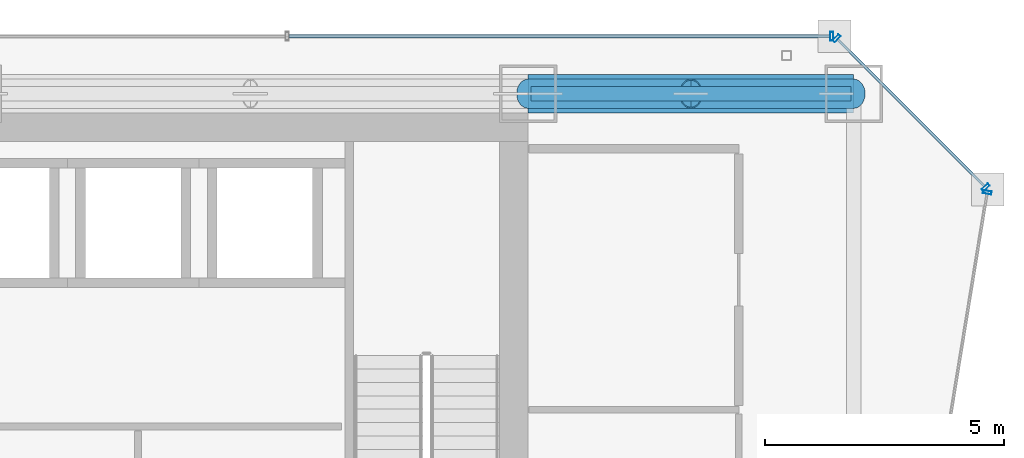
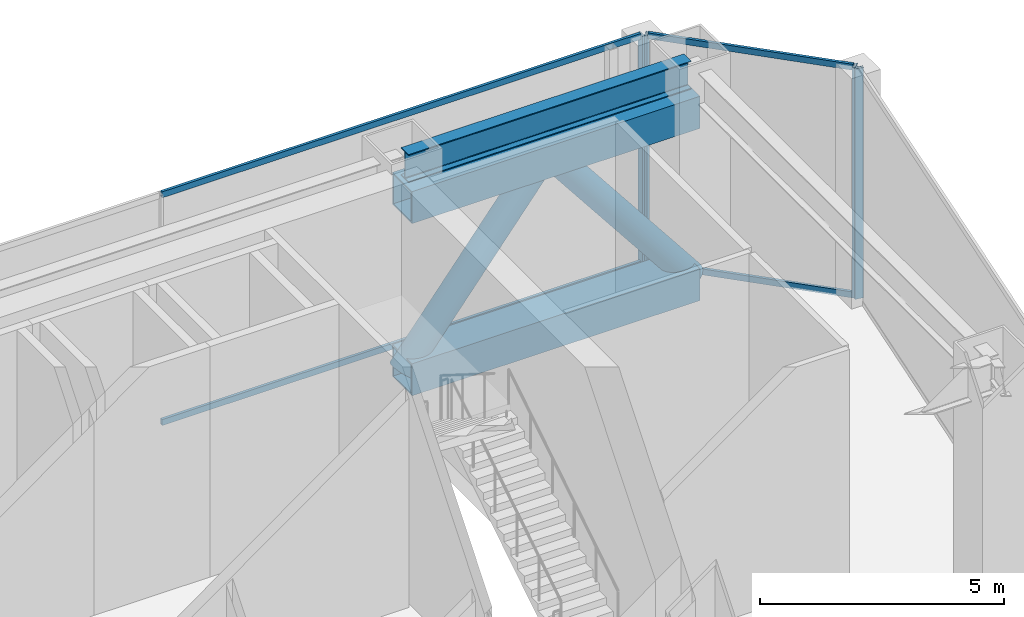
# One storey, part 27 of 35: 12 members, 1 beam, 3 elements without a shape of their own.
"""IFC4 building model written with IfcOpenShell, lengths in metres."""

from ifc_helpers import new_model, si_unit, direction, frame, origin, origin_2d, place, context, subcontext, project, spatial, hollow_rectangle, hollow_circle, i_section, extrude, material, material_profile, profile_set, type_object, element, aggregate, save


model = new_model("IFC4")

# Units and contexts
model_context = context("Model", 3, precision=1e-05, world=origin(), true_north=direction((0.0, 1.0)))
body_context = subcontext(model_context, "Body", "Model", "MODEL_VIEW")
ifc_project = project(units=[si_unit("LENGTHUNIT", "METRE"), si_unit("AREAUNIT", "SQUARE_METRE"), si_unit("VOLUMEUNIT", "CUBIC_METRE"), si_unit("PLANEANGLEUNIT", "RADIAN"), si_unit("MASSUNIT", "GRAM", prefix="KILO")], contexts=[model_context])

# Site, building, storey
site_placement = place(None, origin())
site = spatial("IfcSite", under=ifc_project, at=site_placement, CompositionType="ELEMENT")
building_placement = place(site_placement, origin())
building = spatial("IfcBuilding", under=site, at=building_placement, Name="Saevonmaru Cultural Tower", CompositionType="ELEMENT")
storey_placement = place(building_placement, frame((0.0, 0.0, 86.800048828125)))
storey = spatial("IfcBuildingStorey", under=building, at=storey_placement, Name="L18", CompositionType="ELEMENT", Elevation=86.800048828125)

# Beam
ifc_material_1 = material(Name="Steel SM355", Category="steel")
ifc_material_profile_1 = material_profile(ifc_material_1, i_section(OverallWidth=0.300048828125, OverallDepth=0.699951171875, WebThickness=0.012939453125, FlangeThickness=0.02392578125, FilletRadius=0.02587890625, at=origin_2d()), Name="H-700x300x13x24")
ifc_profile_set_1 = profile_set([ifc_material_profile_1], Name="Steel SM355")
beam_type = type_object("IfcBeamType", Name="BM-SP-H700", PredefinedType="SPANDREL", material=ifc_profile_set_1)
beam_placement = place(storey_placement, frame((46.4599609375, 54.800048828125, 5.39990234375), z_axis=(1.0, 0.0, 0.0), x_axis=(0.0, 1.0, 0.0)))
element("IfcBeam", 1, at=beam_placement, inside=storey, type_object=beam_type, Name="L18 North Spine Girder 5", PredefinedType="SPANDREL", context=body_context, shape_type="SweptSolid", body=[
    extrude(i_section(OverallWidth=0.300048828125, OverallDepth=0.699951171875, WebThickness=0.012939453125, FlangeThickness=0.02392578125, FilletRadius=0.02587890625, at=origin_2d()), origin(), (0.0, 0.0, 1.0), 6.679931640625),
])

# Members
ifc_material_2 = material(Name="Steel HSA600 (600 MPa)", Category="steel")
ifc_material_profile_2 = material_profile(ifc_material_2, hollow_circle(Radius=0.3046875, WallThickness=0.02490234375, at=origin_2d()), Name="CHS-609.6x25")
ifc_profile_set_2 = profile_set([ifc_material_profile_2], Name="Steel HSA600 (600 MPa)")
member_type_1 = type_object("IfcMemberType", Name="MB-OBR-CHS610", PredefinedType="BRACE", material=ifc_profile_set_2)
for number, where, z_axis, x_axis, name in (
    (2, (46.39990234375, 54.800048828125, 0.300048828125), (0.620269360577, 0.0, 0.784388883354), (0.0, 1.0, 0.0), "L18 Outrigger Truss Diagonal OE2-1"),
    (3, (53.199951171875, 54.800048828125, 0.300048828125), (-0.62024195723, 0.0, 0.784410552257), (0.0, -1.0, 0.0), "L18 Outrigger Truss Diagonal OE2-2"),
):
    element("IfcMember", number, at=place(storey_placement, frame(where, z_axis=z_axis, x_axis=x_axis)), inside=storey, type_object=member_type_1, Name=name, PredefinedType="BRACE", context=body_context, shape_type="SweptSolid", body=[
        extrude(hollow_circle(Radius=0.3046875, WallThickness=0.02490234375, at=origin_2d()), origin(), (0.0, 0.0, 1.0), 5.481689453125),
    ])
ifc_material_profile_3 = material_profile(ifc_material_2, hollow_rectangle(XDim=0.800048828125, YDim=0.800048828125, WallThickness=0.035888671875, at=origin_2d()), Name="BOX-800x800x36")
ifc_profile_set_3 = profile_set([ifc_material_profile_3], Name="Steel HSA600 (600 MPa)")
member_type_2 = type_object("IfcMemberType", Name="MB-OCH-BOX800", PredefinedType="CHORD", material=ifc_profile_set_3)
for number, where, z_axis, x_axis, name in (
    (4, (46.39990234375, 54.800048828125, 0.300048828125), (1.0, 0.0, 0.0), (0.0, 1.0, 0.0), "L18 Outrigger Truss Bottom Chord OE2"),
    (5, (46.39990234375, 54.800048828125, 4.599853515625), (1.0, 0.0, 0.0), (0.0, 1.0, 0.0), "L18 Outrigger Truss Top Chord OE2"),
):
    element("IfcMember", number, at=place(storey_placement, frame(where, z_axis=z_axis, x_axis=x_axis)), inside=storey, type_object=member_type_2, Name=name, PredefinedType="CHORD", context=body_context, shape_type="SweptSolid", body=[
        extrude(hollow_rectangle(XDim=0.800048828125, YDim=0.800048828125, WallThickness=0.035888671875, at=origin_2d()), origin(), (0.0, 0.0, 1.0), 6.800048828125),
    ])

# Curtain wall, member
ifc_material_3 = material(Name="Satin Bronze Anodised Aluminium", Category="aluminium")
curtain_wall_type = type_object("IfcCurtainWallType", Name="CW-TYP-A", PredefinedType="NOTDEFINED", material=ifc_material_3)
curtain_wall_1_placement = place(storey_placement, origin())
curtain_wall_1 = element("IfcCurtainWall", 6, at=curtain_wall_1_placement, inside=storey, type_object=curtain_wall_type, Name="L18 Wind-Floor Acoustic Louvre Screen E8", PredefinedType="NOTDEFINED")
ifc_material_profile_4 = material_profile(ifc_material_3, hollow_rectangle(XDim=0.06494140625, YDim=0.179931640625, WallThickness=0.00390625, at=origin_2d()), Name="ALU-MULL-180x65x4")
ifc_profile_set_4 = profile_set([ifc_material_profile_4], Name="Satin Bronze Anodised Aluminium")
member_type_3 = type_object("IfcMemberType", Name="ML-CW-180x65", PredefinedType="MULLION", material=ifc_profile_set_4)
member_1_placement = place(storey_placement, frame((55.990234375, 52.74072265625, 0.0), z_axis=(0.0, 0.0, 1.0), x_axis=(0.161708868641, 0.986838508472, 0.0)))
member_1 = element("IfcMember", 7, at=member_1_placement, type_object=member_type_3, Name="CW-TW-L18-E8 mullion 5", PredefinedType="MULLION", context=body_context, shape_type="SweptSolid", body=[
    extrude(hollow_rectangle(XDim=0.06494140625, YDim=0.179931640625, WallThickness=0.00390625, at=origin_2d()), origin(), (0.0, 0.0, 1.0), 5.75),
])
aggregate(curtain_wall_1, [member_1])

# Curtain wall, members
curtain_wall_2_placement = place(storey_placement, origin())
curtain_wall_2 = element("IfcCurtainWall", 8, at=curtain_wall_2_placement, inside=storey, type_object=curtain_wall_type, Name="L18 Wind-Floor Acoustic Louvre Screen E9", PredefinedType="NOTDEFINED")
member_2_placement = place(storey_placement, frame((55.95751953125, 52.84228515625, 0.0), z_axis=(0.0, 0.0, 1.0), x_axis=(-0.707106781187, 0.707106781187, 0.0)))
member_2 = element("IfcMember", 9, at=member_2_placement, type_object=member_type_3, Name="CW-TW-L18-E9 mullion 1", PredefinedType="MULLION", context=body_context, shape_type="SweptSolid", body=[
    extrude(hollow_rectangle(XDim=0.06494140625, YDim=0.179931640625, WallThickness=0.00390625, at=origin_2d()), origin(), (0.0, 0.0, 1.0), 5.75),
])
member_3_placement = place(storey_placement, frame((52.84228515625, 55.95751953125, 0.0), z_axis=(0.0, 0.0, 1.0), x_axis=(-0.707106781187, 0.707106781187, 0.0)))
member_3 = element("IfcMember", 10, at=member_3_placement, type_object=member_type_3, Name="CW-TW-L18-E9 mullion 2", PredefinedType="MULLION", context=body_context, shape_type="SweptSolid", body=[
    extrude(hollow_rectangle(XDim=0.06494140625, YDim=0.179931640625, WallThickness=0.00390625, at=origin_2d()), origin(), (0.0, 0.0, 1.0), 5.75),
])

# Curtain wall, member
curtain_wall_3_placement = place(storey_placement, origin())
curtain_wall_3 = element("IfcCurtainWall", 11, at=curtain_wall_3_placement, inside=storey, type_object=curtain_wall_type, Name="L18 Wind-Floor Acoustic Louvre Screen E10", PredefinedType="NOTDEFINED")
member_4_placement = place(storey_placement, frame((52.739990234375, 56.0, 0.0), z_axis=(0.0, 0.0, 1.0), x_axis=(-1.0, 0.0, 0.0)))
member_4 = element("IfcMember", 12, at=member_4_placement, type_object=member_type_3, Name="CW-TW-L18-E10 mullion 1", PredefinedType="MULLION", context=body_context, shape_type="SweptSolid", body=[
    extrude(hollow_rectangle(XDim=0.06494140625, YDim=0.179931640625, WallThickness=0.00390625, at=origin_2d()), origin(), (0.0, 0.0, 1.0), 5.75),
])

# Member
ifc_material_profile_5 = material_profile(ifc_material_3, hollow_rectangle(XDim=0.06494140625, YDim=0.14990234375, WallThickness=0.00390625, at=origin_2d()), Name="ALU-TRAN-150x65x4")
ifc_profile_set_5 = profile_set([ifc_material_profile_5], Name="Satin Bronze Anodised Aluminium")
member_type_4 = type_object("IfcMemberType", Name="TR-CW-150x65", PredefinedType="USERDEFINED", material=ifc_profile_set_5)
member_5_placement = place(storey_placement, frame((55.9345703125, 52.865478515625, 0.032470703125), z_axis=(-0.707106781187, 0.707106781187, 0.0), x_axis=(-0.707106781187, -0.707106781187, 0.0)))
member_5 = element("IfcMember", 13, at=member_5_placement, type_object=member_type_4, Name="CW-TW-L18-E9 transom 1.1", ObjectType="TRANSOM", PredefinedType="USERDEFINED", context=body_context, shape_type="SweptSolid", body=[
    extrude(hollow_rectangle(XDim=0.06494140625, YDim=0.14990234375, WallThickness=0.00390625, at=origin_2d()), origin(), (0.0, 0.0, 1.0), 4.34033203125),
])

member_6_placement = place(storey_placement, frame((55.9345703125, 52.865478515625, 5.717529296875), z_axis=(-0.707106781187, 0.707106781187, 0.0), x_axis=(-0.707106781187, -0.707106781187, 0.0)))
member_6 = element("IfcMember", 14, at=member_6_placement, type_object=member_type_4, Name="CW-TW-L18-E9 transom 1.2", ObjectType="TRANSOM", PredefinedType="USERDEFINED", context=body_context, shape_type="SweptSolid", body=[
    extrude(hollow_rectangle(XDim=0.06494140625, YDim=0.14990234375, WallThickness=0.00390625, at=origin_2d()), origin(), (0.0, 0.0, 1.0), 4.34033203125),
])

aggregate(curtain_wall_2, [member_2, member_3, member_5, member_6])

member_7_placement = place(storey_placement, frame((52.70751953125, 56.0, 0.032470703125), z_axis=(-1.0, 0.0, 0.0), x_axis=(0.0, -1.0, 0.0)))
member_7 = element("IfcMember", 15, at=member_7_placement, type_object=member_type_4, Name="CW-TW-L18-E10 transom 1.1", ObjectType="TRANSOM", PredefinedType="USERDEFINED", context=body_context, shape_type="SweptSolid", body=[
    extrude(hollow_rectangle(XDim=0.06494140625, YDim=0.14990234375, WallThickness=0.00390625, at=origin_2d()), origin(), (0.0, 0.0, 1.0), 11.304931640625),
])

member_8_placement = place(storey_placement, frame((52.70751953125, 56.0, 5.717529296875), z_axis=(-1.0, 0.0, 0.0), x_axis=(0.0, -1.0, 0.0)))
member_8 = element("IfcMember", 16, at=member_8_placement, type_object=member_type_4, Name="CW-TW-L18-E10 transom 1.2", ObjectType="TRANSOM", PredefinedType="USERDEFINED", context=body_context, shape_type="SweptSolid", body=[
    extrude(hollow_rectangle(XDim=0.06494140625, YDim=0.14990234375, WallThickness=0.00390625, at=origin_2d()), origin(), (0.0, 0.0, 1.0), 11.304931640625),
])

aggregate(curtain_wall_3, [member_4, member_7, member_8])

save(model, "model.ifc")
